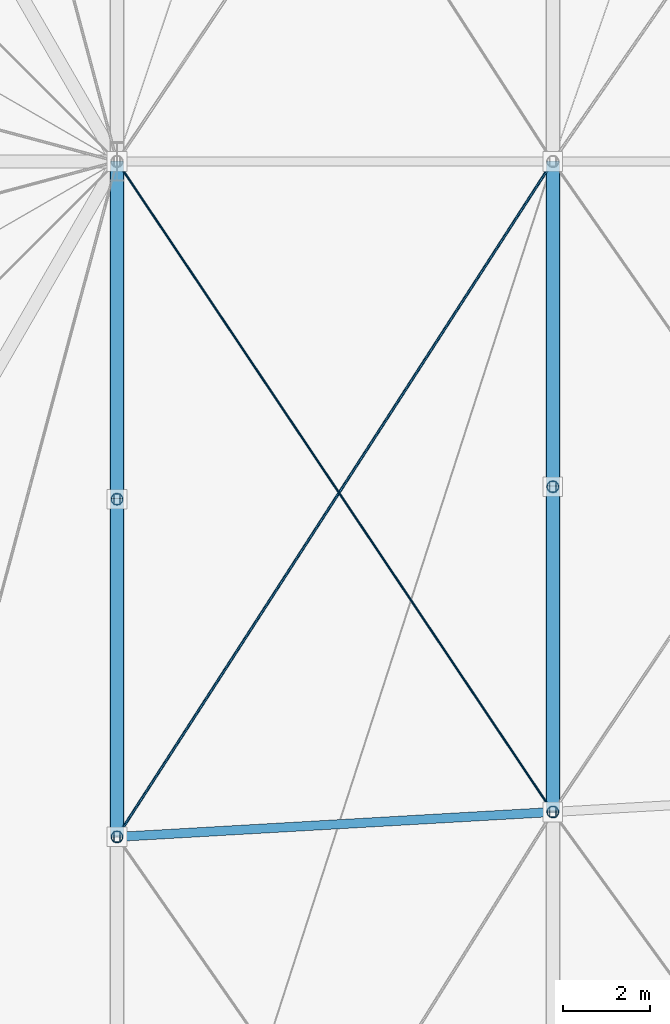
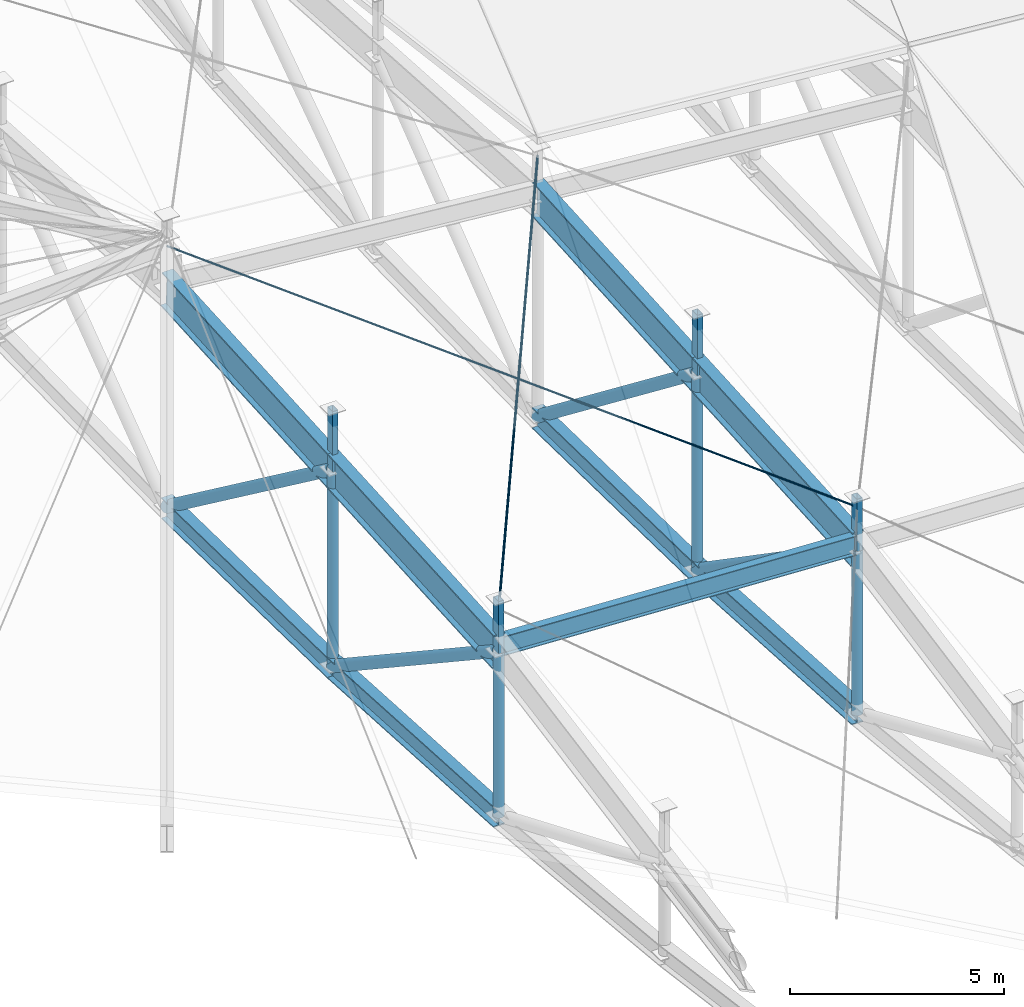
# One storey, part 17 of 68: 14 members, 9 beams.
"""IFC4 building model written with IfcOpenShell, lengths in metres."""

import ifcopenshell
import ifcopenshell.guid

model = None  # the IFC model being written
_history = None  # IfcOwnerHistory: only IFC2X3 demands one
_inside = {}  # id of a spatial element -> (the spatial element, [elements in it])
_under = {}  # id of a project, library or spatial element -> (it, [spatial elements below it])
_declared = {}  # id of a project -> (the project, [libraries it declares])
_typed = {}  # id of a type object -> (the type object, [elements of that type])
_made_of = {}  # id of a material, layer set ... -> (it, [elements and type objects made of it])


def new_model(schema):
    """Start an empty IFC model of exactly this schema.

    Asked for "IFC4X3", IfcOpenShell would pick the latest addendum, in which some entities
    have other attributes; the version numbers below select the first issue.
    IFC2X3 requires an IfcOwnerHistory on every rooted entity: one is made here for all.
    """
    global model, _history
    if schema == "IFC4X3":
        model = ifcopenshell.file(schema_version=(4, 3, 0, 0))
    else:
        model = ifcopenshell.file(schema=schema)
    _inside.clear()
    _under.clear()
    _declared.clear()
    _typed.clear()
    _made_of.clear()
    _history = None
    if model.schema == "IFC2X3":
        org = make("IfcOrganization", Name="unknown")
        user = make(
            "IfcPersonAndOrganization",
            ThePerson=make("IfcPerson", FamilyName="unknown"),
            TheOrganization=org,
        )
        app = make(
            "IfcApplication",
            ApplicationDeveloper=org,
            Version="unknown",
            ApplicationFullName="unknown",
            ApplicationIdentifier="unknown",
        )
        _history = make(
            "IfcOwnerHistory",
            OwningUser=user,
            OwningApplication=app,
            ChangeAction="ADDED",
            CreationDate=0,
        )
    return model


def make(cls, **values):
    """One entity of the class cls with the attributes given. An attribute that is None is left unset."""
    return model.create_entity(
        cls, **{name: value for name, value in values.items() if value is not None}
    )


def rooted(cls, **values):
    """An entity with a GlobalId (a new one), such as an element, a storey or a relation."""
    return make(cls, GlobalId=ifcopenshell.guid.new(), OwnerHistory=_history, **values)


def si_unit(unit_type, name, prefix=None):
    """IfcSIUnit, for example si_unit("LENGTHUNIT", "METRE", prefix="MILLI")."""
    return make("IfcSIUnit", UnitType=unit_type, Prefix=prefix, Name=name)


def assignment(units):
    """IfcUnitAssignment: the units of a project."""
    return None if units is None else make("IfcUnitAssignment", Units=units)


def point(xyz):
    """IfcCartesianPoint."""
    return None if xyz is None else make("IfcCartesianPoint", Coordinates=xyz)


def direction(xyz):
    """IfcDirection."""
    return None if xyz is None else make("IfcDirection", DirectionRatios=xyz)


def frame(location, z_axis=None, x_axis=None):
    """IfcAxis2Placement3D, a coordinate frame: its origin and axes. An axis left out is left unset."""
    return make(
        "IfcAxis2Placement3D",
        Location=point(location),
        Axis=direction(z_axis),
        RefDirection=direction(x_axis),
    )


def frame_2d(location, x_axis=None):
    """IfcAxis2Placement2D, a coordinate frame in the plane: its origin and x axis."""
    return make(
        "IfcAxis2Placement2D", Location=point(location), RefDirection=direction(x_axis)
    )


def origin():
    """The frame at (0, 0, 0) with its axes left unset."""
    return frame((0.0, 0.0, 0.0))


def origin_2d():
    """The frame at (0, 0) in the plane with its x axis left unset."""
    return frame_2d((0.0, 0.0))


def place(relative_to, where):
    """IfcLocalPlacement: puts the frame where relative to a parent placement (None: the world)."""
    return make(
        "IfcLocalPlacement", PlacementRelTo=relative_to, RelativePlacement=where
    )


def context(
    kind, dimensions, precision=None, world=None, true_north=None, identifier=None
):
    """IfcGeometricRepresentationContext, for example the 3D "Model" context."""
    return make(
        "IfcGeometricRepresentationContext",
        ContextIdentifier=identifier,
        ContextType=kind,
        CoordinateSpaceDimension=dimensions,
        Precision=precision,
        WorldCoordinateSystem=world,
        TrueNorth=true_north,
    )


def subcontext(parent, identifier, kind, view, scale=None):
    """IfcGeometricRepresentationSubContext, for example "Body" below "Model"."""
    return make(
        "IfcGeometricRepresentationSubContext",
        ContextIdentifier=identifier,
        ContextType=kind,
        ParentContext=parent,
        TargetScale=scale,
        TargetView=view,
    )


def project(units=None, contexts=None):
    """IfcProject with its units and contexts."""
    return rooted(
        "IfcProject",
        Name="project",
        RepresentationContexts=contexts,
        UnitsInContext=assignment(units),
    )


def spatial(cls, under=None, at=None, **own):
    """A site, building, storey or space (cls), placed at a placement, below another one or the project."""
    s = rooted(cls, ObjectPlacement=at, **own)
    if under is not None:
        _under.setdefault(under.id(), (under, []))[1].append(s)
    return s


def profile(cls, at=None, kind="AREA", **sizes):
    """A parametric profile (cls). Its sizes go by their IFC names, for example OverallWidth=200.0."""
    return make(cls, ProfileType=kind, Position=at, **sizes)


def hollow_rectangle(**sizes):
    """IfcRectangleHollowProfileDef."""
    return profile("IfcRectangleHollowProfileDef", **sizes)


def circle(**sizes):
    """IfcCircleProfileDef."""
    return profile("IfcCircleProfileDef", **sizes)


def hollow_circle(**sizes):
    """IfcCircleHollowProfileDef."""
    return profile("IfcCircleHollowProfileDef", **sizes)


def i_section(**sizes):
    """IfcIShapeProfileDef."""
    return profile("IfcIShapeProfileDef", **sizes)


def extrude(swept, where, along, depth):
    """IfcExtrudedAreaSolid: the profile swept, set in the frame where, extruded along a direction by depth."""
    return make(
        "IfcExtrudedAreaSolid",
        SweptArea=swept,
        Position=where,
        ExtrudedDirection=direction(along),
        Depth=depth,
    )


def shape(context_of_items, identifier, shape_type, items):
    """IfcShapeRepresentation: the items that make up one representation, for example the "Body"."""
    return make(
        "IfcShapeRepresentation",
        ContextOfItems=context_of_items,
        RepresentationIdentifier=identifier,
        RepresentationType=shape_type,
        Items=items,
    )


def material(Name=None, Category=None):
    """IfcMaterial."""
    return make("IfcMaterial", Name=Name, Category=Category)


def material_profile(
    of_material, cross_section, Name=None, Category=None, Priority=None
):
    """IfcMaterialProfile: a cross section and its material."""
    return make(
        "IfcMaterialProfile",
        Name=Name,
        Material=of_material,
        Profile=cross_section,
        Priority=Priority,
        Category=Category,
    )


def profile_set(profiles, Name=None, composite=None):
    """IfcMaterialProfileSet."""
    return make(
        "IfcMaterialProfileSet",
        Name=Name,
        MaterialProfiles=profiles,
        CompositeProfile=composite,
    )


def made_of(thing, what):
    """Note that an element or type object is made of a material, layer set ...; save() writes the relation."""
    if what is not None:
        _made_of.setdefault(what.id(), (what, []))[1].append(thing)
    return thing


def type_object(cls, material=None, **own):
    """A type object (cls), such as IfcWallType, which elements share."""
    return made_of(rooted(cls, **own), material)


def element(
    cls,
    number,
    at=None,
    inside=None,
    cuts=None,
    type_object=None,
    material=None,
    context=None,
    identifier="Body",
    shape_type=None,
    held_by="IfcProductDefinitionShape",
    body=None,
    shapes=None,
    **own,
):
    """One element of the class cls, such as IfcWall. Its Tag is "e" and its number.

    at: its placement. inside: the storey or other place that contains it. cuts: it is an
    opening in that element (IfcRelVoidsElement). A single representation is given by context,
    identifier, shape_type and body (its items); several are given by shapes. held_by: the class
    of the entity that holds the representations. save() writes the other relations.
    """
    e = rooted(cls, Tag="e%d" % number, ObjectPlacement=at, **own)
    if body is not None:
        shapes = [shape(context, identifier, shape_type, body)]
    if shapes is not None:
        e.Representation = make(held_by, Representations=shapes)
    if inside is not None:
        _inside.setdefault(inside.id(), (inside, []))[1].append(e)
    if cuts is not None:
        rooted(
            "IfcRelVoidsElement", RelatingBuildingElement=cuts, RelatedOpeningElement=e
        )
    if type_object is not None:
        _typed.setdefault(type_object.id(), (type_object, []))[1].append(e)
    return made_of(e, material)


def aggregate(whole, parts):
    """IfcRelAggregates: a whole, such as a stair, and the parts it consists of."""
    return rooted("IfcRelAggregates", RelatingObject=whole, RelatedObjects=parts)


def save(model, path):
    """Write the relations noted so far, then the file.

    IfcRelAggregates (storeys below a building ...), IfcRelContainedInSpatialStructure (elements
    in a storey), IfcRelDefinesByType, IfcRelAssociatesMaterial and IfcRelDeclares: one each for
    every whole, place, type object, material and project.
    """
    for whole, parts in _under.values():
        aggregate(whole, parts)
    for where, things in _inside.values():
        rooted(
            "IfcRelContainedInSpatialStructure",
            RelatedElements=things,
            RelatingStructure=where,
        )
    for kind, things in _typed.values():
        rooted("IfcRelDefinesByType", RelatedObjects=things, RelatingType=kind)
    for what, things in _made_of.values():
        rooted("IfcRelAssociatesMaterial", RelatedObjects=things, RelatingMaterial=what)
    for by, libraries in _declared.values():
        rooted("IfcRelDeclares", RelatingContext=by, RelatedDefinitions=libraries)
    model.write(path)


model = new_model("IFC4")

# Units and contexts
model_context = context("Model", 3, precision=1e-05, world=origin(), true_north=direction((0.0, 1.0)))
body_context = subcontext(model_context, "Body", "Model", "MODEL_VIEW")
ifc_project = project(units=[si_unit("LENGTHUNIT", "METRE"), si_unit("AREAUNIT", "SQUARE_METRE"), si_unit("VOLUMEUNIT", "CUBIC_METRE"), si_unit("PLANEANGLEUNIT", "RADIAN"), si_unit("MASSUNIT", "GRAM", prefix="KILO")], contexts=[model_context])

# Site, building, storey
site_placement = place(None, origin())
site = spatial("IfcSite", under=ifc_project, at=site_placement, CompositionType="ELEMENT")
building_placement = place(site_placement, origin())
building = spatial("IfcBuilding", under=site, at=building_placement, Name="Sohan Crest Arena", CompositionType="ELEMENT")
storey_placement = place(building_placement, frame((0.0, 0.0, 27.0)))
storey = spatial("IfcBuildingStorey", under=building, at=storey_placement, Name="RF", CompositionType="ELEMENT", Elevation=27.0)

# Beams
ifc_material_1 = material(Name="Steel S355", Category="steel")
ifc_material_profile_1 = material_profile(ifc_material_1, i_section(OverallWidth=0.2099609375, OverallDepth=0.550048828125, WebThickness=0.010986328125, FlangeThickness=0.01708984375, at=origin_2d()), Name="IPE 550")
ifc_profile_set_1 = profile_set([ifc_material_profile_1], Name="Steel S355")
beam_type_1 = type_object("IfcBeamType", Name="STR-BM-B06", PredefinedType="BEAM", material=ifc_profile_set_1)
beam_1_placement = place(storey_placement, frame((98.0, 62.5, 4.509033203125), z_axis=(0.994110674277, 0.056865266353, -0.092251334788), x_axis=(-0.057108792309, 0.998367961145, 0.0)))
element("IfcBeam", 1, at=beam_1_placement, inside=storey, type_object=beam_type_1, Name="Structural beam RP-RF-3144", PredefinedType="BEAM", context=body_context, shape_type="SweptSolid", body=[
    extrude(i_section(OverallWidth=0.2099609375, OverallDepth=0.550048828125, WebThickness=0.010986328125, FlangeThickness=0.01708984375, at=origin_2d()), origin(), (0.0, 0.0, 1.0), 10.059326171875),
])
ifc_material_profile_2 = material_profile(ifc_material_1, i_section(OverallWidth=0.300048828125, OverallDepth=0.60009765625, WebThickness=0.015380859375, FlangeThickness=0.030029296875, at=origin_2d()), Name="HEB 600")
ifc_profile_set_2 = profile_set([ifc_material_profile_2], Name="Steel S355")
beam_type_2 = type_object("IfcBeamType", Name="STR-BM-B15", PredefinedType="BEAM", material=ifc_profile_set_2)
beam_2_placement = place(storey_placement, frame((98.0, 62.5, -0.339111328125), z_axis=(0.0, 0.99831887061, -0.057960612353), x_axis=(-1.0, 0.0, 0.0)))
element("IfcBeam", 2, at=beam_2_placement, inside=storey, type_object=beam_type_2, Name="Structural beam RAB-RF-3021", PredefinedType="BEAM", context=body_context, shape_type="SweptSolid", body=[
    extrude(i_section(OverallWidth=0.300048828125, OverallDepth=0.60009765625, WebThickness=0.015380859375, FlangeThickness=0.030029296875, at=origin_2d()), origin(), (0.0, 0.0, 1.0), 7.762939453125),
])
beam_3_placement = place(storey_placement, frame((98.0, 70.25, -0.7890625), z_axis=(0.0, 0.999812991388, -0.019338620738), x_axis=(-1.0, 0.0, 0.0)))
element("IfcBeam", 3, at=beam_3_placement, inside=storey, type_object=beam_type_2, Name="Structural beam RAB-RF-3023", PredefinedType="BEAM", context=body_context, shape_type="SweptSolid", body=[
    extrude(i_section(OverallWidth=0.300048828125, OverallDepth=0.60009765625, WebThickness=0.015380859375, FlangeThickness=0.030029296875, at=origin_2d()), origin(), (0.0, 0.0, 1.0), 7.75146484375),
])
beam_4_placement = place(storey_placement, frame((108.0, 63.072021484375, -1.26708984375), z_axis=(0.0, 0.998187862193, -0.060174677156), x_axis=(-1.0, 0.0, 0.0)))
element("IfcBeam", 4, at=beam_4_placement, inside=storey, type_object=beam_type_2, Name="Structural beam RAB-RF-3037", PredefinedType="BEAM", context=body_context, shape_type="SweptSolid", body=[
    extrude(i_section(OverallWidth=0.300048828125, OverallDepth=0.60009765625, WebThickness=0.015380859375, FlangeThickness=0.030029296875, at=origin_2d()), origin(), (0.0, 0.0, 1.0), 7.4775390625),
])
beam_5_placement = place(storey_placement, frame((108.0, 70.535888671875, -1.717041015625), z_axis=(0.0, 0.999798395935, -0.020079031011), x_axis=(-1.0, 0.0, 0.0)))
element("IfcBeam", 5, at=beam_5_placement, inside=storey, type_object=beam_type_2, Name="Structural beam RAB-RF-3039", PredefinedType="BEAM", context=body_context, shape_type="SweptSolid", body=[
    extrude(i_section(OverallWidth=0.300048828125, OverallDepth=0.60009765625, WebThickness=0.015380859375, FlangeThickness=0.030029296875, at=origin_2d()), origin(), (0.0, 0.0, 1.0), 7.465576171875),
])
ifc_material_profile_3 = material_profile(ifc_material_1, i_section(OverallWidth=0.300048828125, OverallDepth=1.0, WebThickness=0.01904296875, FlangeThickness=0.035888671875, at=origin_2d()), Name="HEB 1000")
ifc_profile_set_3 = profile_set([ifc_material_profile_3], Name="Steel S355")
beam_type_3 = type_object("IfcBeamType", Name="STR-BM-B19", PredefinedType="BEAM", material=ifc_profile_set_3)
for number, where, z_axis, x_axis, name in (
    (6, (98.0, 62.5, 4.34912109375), (0.0, 0.998079886458, 0.061939811502), (-1.0, 0.0, 0.0), "Structural beam RA-RF-3020"),
    (7, (98.0, 70.25, 4.830078125), (0.0, 0.998079886458, 0.061939811502), (-1.0, 0.0, 0.0), "Structural beam RA-RF-3022"),
):
    element("IfcBeam", number, at=place(storey_placement, frame(where, z_axis=z_axis, x_axis=x_axis)), inside=storey, type_object=beam_type_3, Name=name, PredefinedType="BEAM", context=body_context, shape_type="SweptSolid", body=[
        extrude(i_section(OverallWidth=0.300048828125, OverallDepth=1.0, WebThickness=0.01904296875, FlangeThickness=0.035888671875, at=origin_2d()), origin(), (0.0, 0.0, 1.0), 7.764892578125),
    ])
beam_6_placement = place(storey_placement, frame((108.0, 63.072021484375, 3.4208984375), z_axis=(0.0, 0.997928216969, 0.064337188134), x_axis=(-1.0, 0.0, 0.0)))
element("IfcBeam", 8, at=beam_6_placement, inside=storey, type_object=beam_type_3, Name="Structural beam RA-RF-3036", PredefinedType="BEAM", context=body_context, shape_type="SweptSolid", body=[
    extrude(i_section(OverallWidth=0.300048828125, OverallDepth=1.0, WebThickness=0.01904296875, FlangeThickness=0.035888671875, at=origin_2d()), origin(), (0.0, 0.0, 1.0), 7.479248046875),
])
beam_7_placement = place(storey_placement, frame((108.0, 70.535888671875, 3.902099609375), z_axis=(0.0, 0.997930447152, 0.064302586625), x_axis=(-1.0, 0.0, 0.0)))
element("IfcBeam", 9, at=beam_7_placement, inside=storey, type_object=beam_type_3, Name="Structural beam RA-RF-3038", PredefinedType="BEAM", context=body_context, shape_type="SweptSolid", body=[
    extrude(i_section(OverallWidth=0.300048828125, OverallDepth=1.0, WebThickness=0.01904296875, FlangeThickness=0.035888671875, at=origin_2d()), origin(), (0.0, 0.0, 1.0), 7.4794921875),
])

# Members
ifc_material_profile_4 = material_profile(ifc_material_1, hollow_circle(Radius=0.136474609375, WallThickness=0.012451171875, at=origin_2d()), Name="CHS 273x12.5")
ifc_profile_set_4 = profile_set([ifc_material_profile_4], Name="Steel S355")
member_type_1 = type_object("IfcMemberType", Name="STR-MEM-BR02", PredefinedType="BRACE", material=ifc_profile_set_4)
member_1_placement = place(storey_placement, frame((98.0, 62.5, -0.339111328125), z_axis=(0.0, 0.0, 1.0), x_axis=(1.0, 0.0, 0.0)))
element("IfcMember", 10, at=member_1_placement, inside=storey, type_object=member_type_1, Name="Lenticular roof truss web strut TW-073", PredefinedType="BRACE", context=body_context, shape_type="SweptSolid", body=[
    extrude(hollow_circle(Radius=0.136474609375, WallThickness=0.012451171875, at=origin_2d()), origin(), (0.0, 0.0, 1.0), 4.688232421875),
])
member_2_placement = place(storey_placement, frame((98.0, 70.25, -0.7890625), z_axis=(0.0, 0.0, 1.0), x_axis=(1.0, 0.0, 0.0)))
element("IfcMember", 11, at=member_2_placement, inside=storey, type_object=member_type_1, Name="Lenticular roof truss web strut TW-075", PredefinedType="BRACE", context=body_context, shape_type="SweptSolid", body=[
    extrude(hollow_circle(Radius=0.136474609375, WallThickness=0.012451171875, at=origin_2d()), origin(), (0.0, 0.0, 1.0), 5.619140625),
])
member_3_placement = place(storey_placement, frame((108.0, 63.072021484375, -1.26708984375), z_axis=(0.0, 0.0, 1.0), x_axis=(1.0, 0.0, 0.0)))
element("IfcMember", 12, at=member_3_placement, inside=storey, type_object=member_type_1, Name="Lenticular roof truss web strut TW-097", PredefinedType="BRACE", context=body_context, shape_type="SweptSolid", body=[
    extrude(hollow_circle(Radius=0.136474609375, WallThickness=0.012451171875, at=origin_2d()), origin(), (0.0, 0.0, 1.0), 4.68798828125),
])
member_4_placement = place(storey_placement, frame((108.0, 70.535888671875, -1.717041015625), z_axis=(0.0, 0.0, 1.0), x_axis=(1.0, 0.0, 0.0)))
element("IfcMember", 13, at=member_4_placement, inside=storey, type_object=member_type_1, Name="Lenticular roof truss web strut TW-099", PredefinedType="BRACE", context=body_context, shape_type="SweptSolid", body=[
    extrude(hollow_circle(Radius=0.136474609375, WallThickness=0.012451171875, at=origin_2d()), origin(), (0.0, 0.0, 1.0), 5.619140625),
])
ifc_material_profile_5 = material_profile(ifc_material_1, hollow_circle(Radius=0.161865234375, WallThickness=0.012451171875, at=origin_2d()), Name="CHS 323.9x12.5")
ifc_profile_set_5 = profile_set([ifc_material_profile_5], Name="Steel S355")
member_type_2 = type_object("IfcMemberType", Name="STR-MEM-BR03", PredefinedType="BRACE", material=ifc_profile_set_5)
member_5_placement = place(storey_placement, frame((98.0, 70.25, -0.7890625), z_axis=(0.0, -0.833461361044, 0.552577740818), x_axis=(1.0, 0.0, 0.0)))
element("IfcMember", 14, at=member_5_placement, inside=storey, type_object=member_type_2, Name="Lenticular roof truss web diagonal TD-074", PredefinedType="BRACE", context=body_context, shape_type="SweptSolid", body=[
    extrude(hollow_circle(Radius=0.161865234375, WallThickness=0.012451171875, at=origin_2d()), origin(), (0.0, 0.0, 1.0), 9.298583984375),
])
member_6_placement = place(storey_placement, frame((98.0, 78.0, -0.93896484375), z_axis=(0.0, -0.802153843618, 0.597117418243), x_axis=(1.0, 0.0, 0.0)))
element("IfcMember", 15, at=member_6_placement, inside=storey, type_object=member_type_2, Name="Lenticular roof truss web diagonal TD-076", PredefinedType="BRACE", context=body_context, shape_type="SweptSolid", body=[
    extrude(hollow_circle(Radius=0.161865234375, WallThickness=0.012451171875, at=origin_2d()), origin(), (0.0, 0.0, 1.0), 9.661376953125),
])
member_7_placement = place(storey_placement, frame((108.0, 70.535888671875, -1.717041015625), z_axis=(0.0, -0.823705311369, 0.567018130242), x_axis=(1.0, 0.0, 0.0)))
element("IfcMember", 16, at=member_7_placement, inside=storey, type_object=member_type_2, Name="Lenticular roof truss web diagonal TD-098", PredefinedType="BRACE", context=body_context, shape_type="SweptSolid", body=[
    extrude(hollow_circle(Radius=0.161865234375, WallThickness=0.012451171875, at=origin_2d()), origin(), (0.0, 0.0, 1.0), 9.061279296875),
])
member_8_placement = place(storey_placement, frame((108.0, 78.0, -1.866943359375), z_axis=(0.0, -0.791217267627, 0.611535146503), x_axis=(1.0, 0.0, 0.0)))
element("IfcMember", 17, at=member_8_placement, inside=storey, type_object=member_type_2, Name="Lenticular roof truss web diagonal TD-100", PredefinedType="BRACE", context=body_context, shape_type="SweptSolid", body=[
    extrude(hollow_circle(Radius=0.161865234375, WallThickness=0.012451171875, at=origin_2d()), origin(), (0.0, 0.0, 1.0), 9.43359375),
])
ifc_material_2 = material(Name="Steel S460", Category="steel")
ifc_material_profile_6 = material_profile(ifc_material_2, circle(Radius=0.031982421875, at=origin_2d()), Name="FLC D64")
ifc_profile_set_6 = profile_set([ifc_material_profile_6], Name="Steel S460")
member_type_3 = type_object("IfcMemberType", Name="STR-MEM-CB01", PredefinedType="USERDEFINED", material=ifc_profile_set_6)
member_9_placement = place(storey_placement, frame((98.0, 62.5, 5.529052734375), z_axis=(0.542125952374, 0.84029522618, 0.001839734067), x_axis=(-0.840296648224, 0.542126869822, 0.0)))
element("IfcMember", 18, at=member_9_placement, inside=storey, type_object=member_type_3, Name="Full-locked-coil roof cable CB-003", ObjectType="CABLE", PredefinedType="USERDEFINED", context=body_context, shape_type="SweptSolid", body=[
    extrude(circle(Radius=0.031982421875, at=origin_2d()), origin(), (0.0, 0.0, 1.0), 18.44580078125),
])
ifc_material_profile_7 = material_profile(ifc_material_2, circle(Radius=0.02587890625, at=origin_2d()), Name="FLC D52")
ifc_profile_set_7 = profile_set([ifc_material_profile_7], Name="Steel S460")
member_type_4 = type_object("IfcMemberType", Name="STR-MEM-CB02", PredefinedType="USERDEFINED", material=ifc_profile_set_7)
member_10_placement = place(storey_placement, frame((98.0, 78.0, 6.490966796875), z_axis=(0.553495537026, -0.826256948523, -0.104604710745), x_axis=(0.830814900024, 0.556548831548, 0.0)))
element("IfcMember", 19, at=member_10_placement, inside=storey, type_object=member_type_4, Name="Full-locked-coil roof cable CB-004", ObjectType="CABLE", PredefinedType="USERDEFINED", context=body_context, shape_type="SweptSolid", body=[
    extrude(circle(Radius=0.02587890625, at=origin_2d()), origin(), (0.0, 0.0, 1.0), 18.06689453125),
])
ifc_material_profile_8 = material_profile(ifc_material_1, hollow_rectangle(XDim=0.14990234375, YDim=0.25, WallThickness=0.010009765625, at=origin_2d()), Name="RHS 250x150x10")
ifc_profile_set_8 = profile_set([ifc_material_profile_8], Name="Steel S355")
member_type_5 = type_object("IfcMemberType", Name="STR-MEM-CH02", PredefinedType="CHORD", material=ifc_profile_set_8)
member_11_placement = place(storey_placement, frame((98.0, 62.5, 4.34912109375), z_axis=(0.0, 0.0, 1.0), x_axis=(1.0, 0.0, 0.0)))
element("IfcMember", 20, at=member_11_placement, inside=storey, type_object=member_type_5, Name="Roof deck bearing saddle chord RSP-063", PredefinedType="CHORD", context=body_context, shape_type="SweptSolid", body=[
    extrude(hollow_rectangle(XDim=0.14990234375, YDim=0.25, WallThickness=0.010009765625, at=origin_2d()), origin(), (0.0, 0.0, 1.0), 1.489990234375),
])
member_12_placement = place(storey_placement, frame((98.0, 70.25, 4.830078125), z_axis=(0.0, 0.0, 1.0), x_axis=(1.0, 0.0, 0.0)))
element("IfcMember", 21, at=member_12_placement, inside=storey, type_object=member_type_5, Name="Roof deck bearing saddle chord RSP-064", PredefinedType="CHORD", context=body_context, shape_type="SweptSolid", body=[
    extrude(hollow_rectangle(XDim=0.14990234375, YDim=0.25, WallThickness=0.010009765625, at=origin_2d()), origin(), (0.0, 0.0, 1.0), 1.72998046875),
])
member_13_placement = place(storey_placement, frame((108.0, 63.072021484375, 3.4208984375), z_axis=(0.0, 0.0, 1.0), x_axis=(1.0, 0.0, 0.0)))
element("IfcMember", 22, at=member_13_placement, inside=storey, type_object=member_type_5, Name="Roof deck bearing saddle chord RSP-087", PredefinedType="CHORD", context=body_context, shape_type="SweptSolid", body=[
    extrude(hollow_rectangle(XDim=0.14990234375, YDim=0.25, WallThickness=0.010009765625, at=origin_2d()), origin(), (0.0, 0.0, 1.0), 1.489990234375),
])
member_14_placement = place(storey_placement, frame((108.0, 70.535888671875, 3.902099609375), z_axis=(0.0, 0.0, 1.0), x_axis=(1.0, 0.0, 0.0)))
element("IfcMember", 23, at=member_14_placement, inside=storey, type_object=member_type_5, Name="Roof deck bearing saddle chord RSP-088", PredefinedType="CHORD", context=body_context, shape_type="SweptSolid", body=[
    extrude(hollow_rectangle(XDim=0.14990234375, YDim=0.25, WallThickness=0.010009765625, at=origin_2d()), origin(), (0.0, 0.0, 1.0), 1.72998046875),
])

save(model, "model.ifc")
